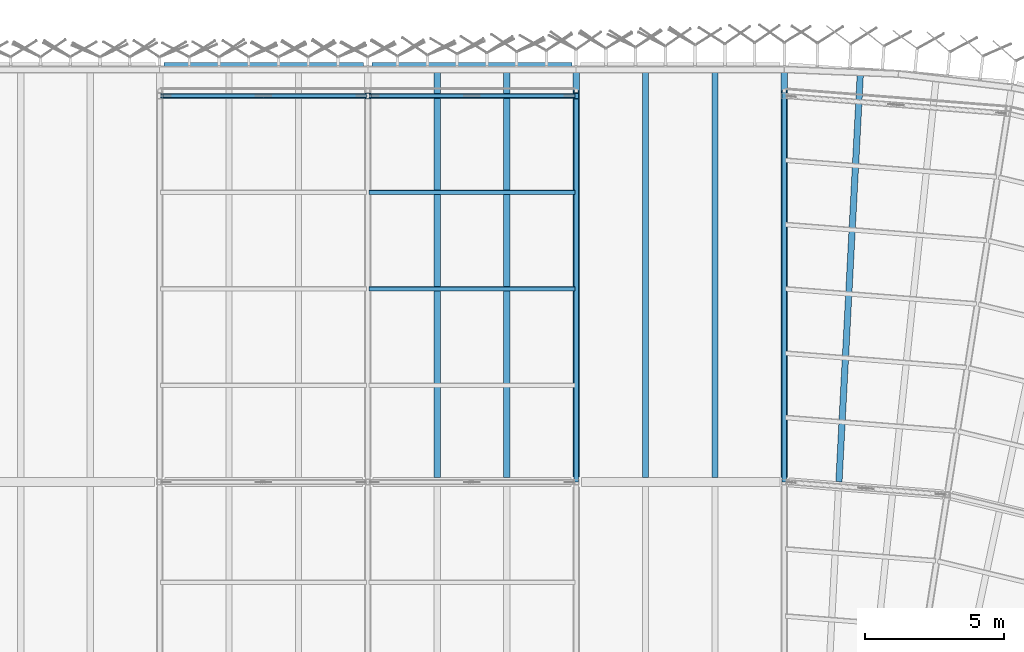
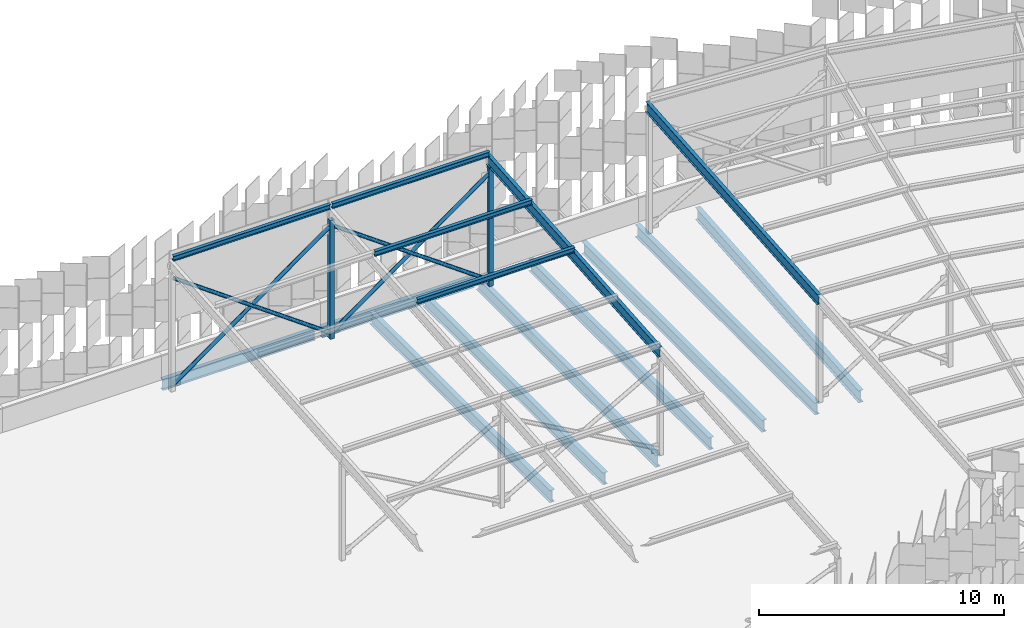
# One storey, part 102 of 483: 14 members, 9 beams.
"""IFC4 building model written with IfcOpenShell, lengths in metres."""

from ifc_helpers import new_model, si_unit, direction, frame, origin, origin_2d, place, context, subcontext, project, spatial, hollow_rectangle, hollow_circle, i_section, extrude, material, material_profile, profile_set, type_object, element, save


model = new_model("IFC4")

# Units and contexts
model_context = context("Model", 3, precision=1e-05, world=origin(), true_north=direction((0.0, 1.0)))
body_context = subcontext(model_context, "Body", "Model", "MODEL_VIEW")
ifc_project = project(units=[si_unit("LENGTHUNIT", "METRE"), si_unit("AREAUNIT", "SQUARE_METRE"), si_unit("VOLUMEUNIT", "CUBIC_METRE"), si_unit("PLANEANGLEUNIT", "RADIAN"), si_unit("MASSUNIT", "GRAM", prefix="KILO")], contexts=[model_context])

# Site, building, storey
site_placement = place(None, origin())
site = spatial("IfcSite", under=ifc_project, at=site_placement, CompositionType="ELEMENT")
building_placement = place(site_placement, origin())
building = spatial("IfcBuilding", under=site, at=building_placement, Name="Parallax Yard Mobility Hub", CompositionType="ELEMENT")
storey_placement = place(building_placement, frame((0.0, 0.0, 13.199951171875)))
storey = spatial("IfcBuildingStorey", under=building, at=storey_placement, Name="L04", CompositionType="ELEMENT", Elevation=13.199951171875)

# Members
ifc_material_1 = material(Name="Steel ASTM A500 Gr C", Category="steel")
ifc_material_profile_1 = material_profile(ifc_material_1, hollow_circle(Radius=0.0888671875, WallThickness=0.0078125, at=origin_2d()), Name="HSS177.8x7.9")
ifc_profile_set_1 = profile_set([ifc_material_profile_1], Name="Steel ASTM A500 Gr C")
member_type_1 = type_object("IfcMemberType", Name="Canopy brace HSS177.8x7.9", PredefinedType="BRACE", material=ifc_profile_set_1)
member_1_placement = place(storey_placement, frame((157.413330078125, 141.39990234375, 0.300048828125), z_axis=(-0.812229364316, 0.0, 0.583338203569), x_axis=(0.0, -1.0, 0.0)))
element("IfcMember", 1, at=member_1_placement, inside=storey, type_object=member_type_1, Name="Canopy X brace RC bay N-C bay 1 diagonal B", PredefinedType="BRACE", context=body_context, shape_type="SweptSolid", body=[
    extrude(hollow_circle(Radius=0.0888671875, WallThickness=0.0078125, at=origin_2d()), origin(), (0.0, 0.0, 1.0), 9.0205078125),
])
for number, where, z_axis, x_axis, name in (
    (2, (150.086669921875, 141.39990234375, 0.300048828125), (0.812232602015, 0.0, 0.58333369543), (0.0, 1.0, 0.0), "Canopy X brace RC bay N-C bay 1 diagonal A part 1"),
    (3, (153.818115234375, 141.39990234375, 2.97998046875), (0.812232602015, 0.0, 0.58333369543), (0.0, 1.0, 0.0), "Canopy X brace RC bay N-C bay 1 diagonal A part 2"),
):
    element("IfcMember", number, at=place(storey_placement, frame(where, z_axis=z_axis, x_axis=x_axis)), inside=storey, type_object=member_type_1, Name=name, PredefinedType="BRACE", context=body_context, shape_type="SweptSolid", body=[
        extrude(hollow_circle(Radius=0.0888671875, WallThickness=0.0078125, at=origin_2d()), origin(), (0.0, 0.0, 1.0), 4.42626953125),
    ])
member_2_placement = place(storey_placement, frame((164.913330078125, 141.39990234375, 0.300048828125), z_axis=(-0.812229364316, 0.0, 0.583338203569), x_axis=(0.0, -1.0, 0.0)))
element("IfcMember", 4, at=member_2_placement, inside=storey, type_object=member_type_1, Name="Canopy X brace RC bay N-C bay 2 diagonal B", PredefinedType="BRACE", context=body_context, shape_type="SweptSolid", body=[
    extrude(hollow_circle(Radius=0.0888671875, WallThickness=0.0078125, at=origin_2d()), origin(), (0.0, 0.0, 1.0), 9.0205078125),
])
for number, where, z_axis, x_axis, name in (
    (5, (157.586669921875, 141.39990234375, 0.300048828125), (0.812232602015, 0.0, 0.58333369543), (0.0, 1.0, 0.0), "Canopy X brace RC bay N-C bay 2 diagonal A part 1"),
    (6, (161.318115234375, 141.39990234375, 2.97998046875), (0.812232602015, 0.0, 0.58333369543), (0.0, 1.0, 0.0), "Canopy X brace RC bay N-C bay 2 diagonal A part 2"),
):
    element("IfcMember", number, at=place(storey_placement, frame(where, z_axis=z_axis, x_axis=x_axis)), inside=storey, type_object=member_type_1, Name=name, PredefinedType="BRACE", context=body_context, shape_type="SweptSolid", body=[
        extrude(hollow_circle(Radius=0.0888671875, WallThickness=0.0078125, at=origin_2d()), origin(), (0.0, 0.0, 1.0), 4.42626953125),
    ])
ifc_material_profile_2 = material_profile(ifc_material_1, hollow_rectangle(XDim=0.203125, YDim=0.203125, WallThickness=0.009521484375, at=origin_2d()), Name="HSS203x203x9.5")
ifc_profile_set_2 = profile_set([ifc_material_profile_2], Name="Steel ASTM A500 Gr C")
member_type_2 = type_object("IfcMemberType", Name="Canopy post HSS203x203x9.5", PredefinedType="POST", material=ifc_profile_set_2)
for number, where, z_axis, x_axis, name in (
    (7, (157.5, 141.39990234375, 0.0), (0.0, 0.0, 1.0), (1.0, 0.0, 0.0), "Canopy post RC/N-C2"),
    (8, (165.0, 141.39990234375, 0.0), (0.0, 0.0, 1.0), (1.0, 0.0, 0.0), "Canopy post RC/N-C3"),
):
    element("IfcMember", number, at=place(storey_placement, frame(where, z_axis=z_axis, x_axis=x_axis)), inside=storey, type_object=member_type_2, Name=name, PredefinedType="POST", context=body_context, shape_type="SweptSolid", body=[
        extrude(hollow_rectangle(XDim=0.203125, YDim=0.203125, WallThickness=0.009521484375, at=origin_2d()), origin(), (0.0, 0.0, 1.0), 5.922119140625),
    ])
ifc_material_2 = material(Name="Steel ASTM A992", Category="steel")
ifc_material_profile_3 = material_profile(ifc_material_2, i_section(OverallWidth=0.14794921875, OverallDepth=0.26611328125, WebThickness=0.007568359375, FlangeThickness=0.012939453125, at=origin_2d()), Name="W250x45")
ifc_profile_set_3 = profile_set([ifc_material_profile_3], Name="Steel ASTM A992")
member_type_3 = type_object("IfcMemberType", Name="Canopy purlin W250x45", PredefinedType="PURLIN", material=ifc_profile_set_3)
for number, where, z_axis, x_axis, name in (
    (9, (150.0400390625, 141.41064453125, 6.573974609375), (1.0, 0.0, 0.0), (0.0, 0.996815308126, 0.079744852409), "Canopy purlin sector N-C bay 1 line 9"),
    (10, (157.5400390625, 134.460693359375, 6.01806640625), (1.0, 0.0, 0.0), (0.0, 0.996815308126, 0.079744852409), "Canopy purlin sector N-C bay 2 line 7"),
    (11, (157.5400390625, 137.935546875, 6.296142578125), (1.0, 0.0, 0.0), (0.0, 0.996815308126, 0.079744852409), "Canopy purlin sector N-C bay 2 line 8"),
    (12, (157.5400390625, 141.41064453125, 6.573974609375), (1.0, 0.0, 0.0), (0.0, 0.996815308126, 0.079744852409), "Canopy purlin sector N-C bay 2 line 9"),
):
    element("IfcMember", number, at=place(storey_placement, frame(where, z_axis=z_axis, x_axis=x_axis)), inside=storey, type_object=member_type_3, Name=name, PredefinedType="PURLIN", context=body_context, shape_type="SweptSolid", body=[
        extrude(i_section(OverallWidth=0.14794921875, OverallDepth=0.26611328125, WebThickness=0.007568359375, FlangeThickness=0.012939453125, at=origin_2d()), origin(), (0.0, 0.0, 1.0), 7.419921875),
    ])
ifc_material_profile_4 = material_profile(ifc_material_2, i_section(OverallWidth=0.166015625, OverallDepth=0.529052734375, WebThickness=0.009765625, FlangeThickness=0.013671875, at=origin_2d()), Name="W530x74")
ifc_profile_set_4 = profile_set([ifc_material_profile_4], Name="Steel ASTM A992")
member_type_4 = type_object("IfcMemberType", Name="Canopy rafter W530x74", PredefinedType="RAFTER", material=ifc_profile_set_4)
for number, where, z_axis, x_axis, name in (
    (13, (172.5, 127.52099609375, 5.067138671875), (0.0, 0.996815168385, 0.079746599163), (-1.0, 0.0, 0.0), "Canopy rafter R0 outer span"),
    (14, (165.0, 127.52099609375, 5.067138671875), (0.0, 0.996815168385, 0.079746599163), (-1.0, 0.0, 0.0), "Canopy rafter N-C3 outer span"),
):
    element("IfcMember", number, at=place(storey_placement, frame(where, z_axis=z_axis, x_axis=x_axis)), inside=storey, type_object=member_type_4, Name=name, PredefinedType="RAFTER", context=body_context, shape_type="SweptSolid", body=[
        extrude(i_section(OverallWidth=0.166015625, OverallDepth=0.529052734375, WebThickness=0.009765625, FlangeThickness=0.013671875, at=origin_2d()), origin(), (0.0, 0.0, 1.0), 14.094970703125),
    ])

# Beams
ifc_material_profile_5 = material_profile(ifc_material_2, i_section(OverallWidth=0.208984375, OverallDepth=0.532958984375, WebThickness=0.01025390625, FlangeThickness=0.015625, FilletRadius=0.0126953125, at=origin_2d()), Name="W530x92")
ifc_profile_set_5 = profile_set([ifc_material_profile_5], Name="Steel ASTM A992")
beam_type_1 = type_object("IfcBeamType", Name="W530x92 edge beam", PredefinedType="SPANDREL", material=ifc_profile_set_5)
for number, where, z_axis, x_axis, name in (
    (15, (150.152587890625, 142.5, -0.406494140625), (1.0, 0.0, 0.0), (0.0, 1.0, 0.0), "Edge beam SB5 level L04, line V of ramped parking decks, span 17"),
    (16, (157.652587890625, 142.5, -0.406494140625), (1.0, 0.0, 0.0), (0.0, 1.0, 0.0), "Edge beam SB5 level L04, line V of ramped parking decks, span 18"),
):
    element("IfcBeam", number, at=place(storey_placement, frame(where, z_axis=z_axis, x_axis=x_axis)), inside=storey, type_object=beam_type_1, Name=name, PredefinedType="SPANDREL", context=body_context, shape_type="SweptSolid", body=[
        extrude(i_section(OverallWidth=0.208984375, OverallDepth=0.532958984375, WebThickness=0.01025390625, FlangeThickness=0.015625, FilletRadius=0.0126953125, at=origin_2d()), origin(), (0.0, 0.0, 1.0), 7.19482421875),
    ])
ifc_material_profile_6 = material_profile(ifc_material_2, i_section(OverallWidth=0.22802734375, OverallDepth=0.60205078125, WebThickness=0.010498046875, FlangeThickness=0.014892578125, FilletRadius=0.0126953125, at=origin_2d()), Name="W610x101")
ifc_profile_set_6 = profile_set([ifc_material_profile_6], Name="Steel ASTM A992")
beam_type_2 = type_object("IfcBeamType", Name="W610x101 secondary beam", PredefinedType="JOIST", material=ifc_profile_set_6)
for number, where, z_axis, x_axis, name in (
    (17, (160.0, 127.66259765625, -0.44091796875), (0.0, 1.0, 0.0), (-1.0, 0.0, 0.0), "Secondary beam B3 level L04, 2.5 m east of line 22 of ramped parking decks, span 2"),
    (18, (167.5, 127.66259765625, -0.44091796875), (0.0, 1.0, 0.0), (-1.0, 0.0, 0.0), "Secondary beam B3 level L04, 2.5 m east of line 23 of ramped parking decks, span 2"),
    (19, (162.5, 127.66259765625, -0.44091796875), (0.0, 1.0, 0.0), (-1.0, 0.0, 0.0), "Secondary beam B3 level L04, 5 m east of line 22 of ramped parking decks, span 2"),
    (20, (170.0, 127.66259765625, -0.44091796875), (0.0, 1.0, 0.0), (-1.0, 0.0, 0.0), "Secondary beam B3 level L04, 5 m east of line 23 of ramped parking decks, span 2"),
):
    element("IfcBeam", number, at=place(storey_placement, frame(where, z_axis=z_axis, x_axis=x_axis)), inside=storey, type_object=beam_type_2, Name=name, PredefinedType="JOIST", context=body_context, shape_type="SweptSolid", body=[
        extrude(i_section(OverallWidth=0.22802734375, OverallDepth=0.60205078125, WebThickness=0.010498046875, FlangeThickness=0.014892578125, FilletRadius=0.0126953125, at=origin_2d()), origin(), (0.0, 0.0, 1.0), 14.73291015625),
    ])
beam_1_placement = place(storey_placement, frame((174.4658203125, 127.50830078125, -0.44091796875), z_axis=(0.052331034694, 0.99862979267, 0.0), x_axis=(-0.99862979267, 0.052331034694, 0.0)))
element("IfcBeam", 21, at=beam_1_placement, inside=storey, type_object=beam_type_2, Name="Secondary beam B3 level L04, radial at 3 degrees of ramped parking decks, span 2", PredefinedType="JOIST", context=body_context, shape_type="SweptSolid", body=[
    extrude(i_section(OverallWidth=0.22802734375, OverallDepth=0.60205078125, WebThickness=0.010498046875, FlangeThickness=0.014892578125, FilletRadius=0.0126953125, at=origin_2d()), origin(), (0.0, 0.0, 1.0), 14.681640625),
])
ifc_material_profile_7 = material_profile(ifc_material_2, i_section(OverallWidth=0.22900390625, OverallDepth=0.612060546875, WebThickness=0.011962890625, FlangeThickness=0.01953125, FilletRadius=0.0126953125, at=origin_2d()), Name="W610x125")
ifc_profile_set_7 = profile_set([ifc_material_profile_7], Name="Steel ASTM A992")
beam_type_3 = type_object("IfcBeamType", Name="W610x125 girder", PredefinedType="BEAM", material=ifc_profile_set_7)
beam_2_placement = place(storey_placement, frame((165.0, 127.68408203125, -0.446044921875), z_axis=(0.0, 1.0, 0.0), x_axis=(-1.0, 0.0, 0.0)))
element("IfcBeam", 22, at=beam_2_placement, inside=storey, type_object=beam_type_3, Name="Girder G3 level L04, line 23 of ramped parking decks, span 2", PredefinedType="BEAM", context=body_context, shape_type="SweptSolid", body=[
    extrude(i_section(OverallWidth=0.22900390625, OverallDepth=0.612060546875, WebThickness=0.011962890625, FlangeThickness=0.01953125, FilletRadius=0.0126953125, at=origin_2d()), origin(), (0.0, 0.0, 1.0), 14.662353515625),
])
beam_3_placement = place(storey_placement, frame((172.5, 127.6640625, -0.446044921875), z_axis=(0.0, 1.0, 0.0), x_axis=(-1.0, 0.0, 0.0)))
element("IfcBeam", 23, at=beam_3_placement, inside=storey, type_object=beam_type_3, Name="Girder G3 level L04, line 24 of ramped parking decks, span 2", PredefinedType="BEAM", context=body_context, shape_type="SweptSolid", body=[
    extrude(i_section(OverallWidth=0.22900390625, OverallDepth=0.612060546875, WebThickness=0.011962890625, FlangeThickness=0.01953125, FilletRadius=0.0126953125, at=origin_2d()), origin(), (0.0, 0.0, 1.0), 14.682373046875),
])

save(model, "model.ifc")
